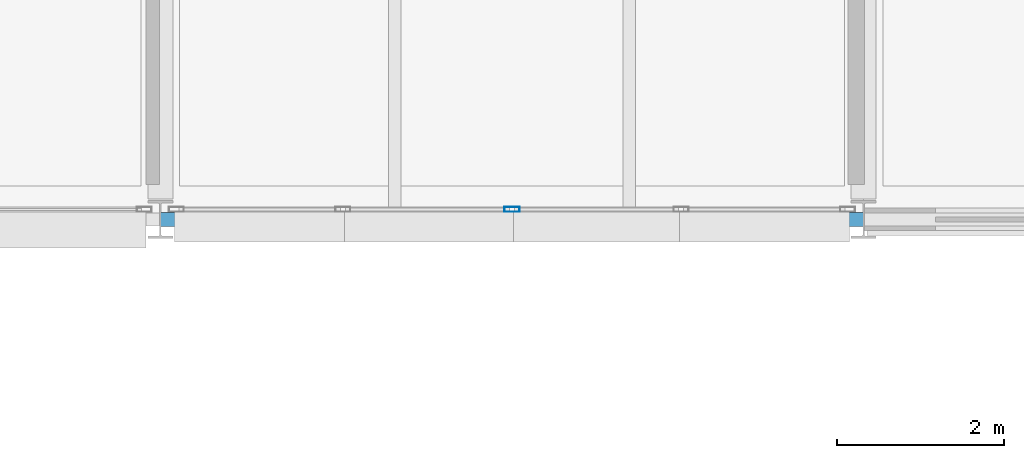
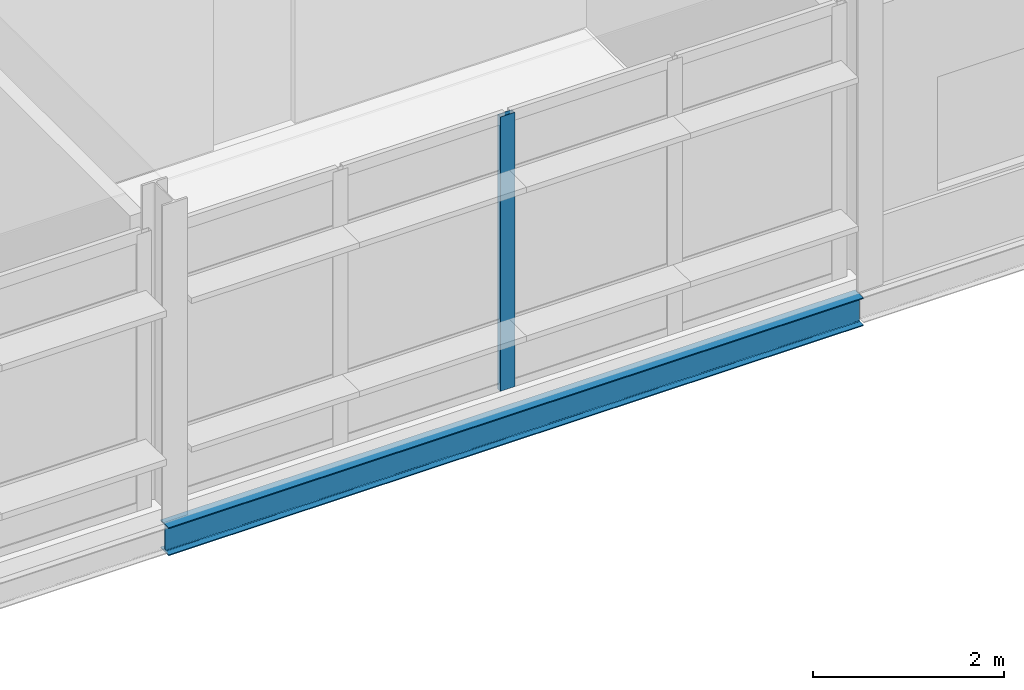
# One storey, part 65 of 131: 1 beam, 1 member, 1 element without a shape of its own.
"""IFC4 building model written with IfcOpenShell, lengths in metres."""

import ifcopenshell
import ifcopenshell.guid

model = None  # the IFC model being written
_history = None  # IfcOwnerHistory: only IFC2X3 demands one
_inside = {}  # id of a spatial element -> (the spatial element, [elements in it])
_under = {}  # id of a project, library or spatial element -> (it, [spatial elements below it])
_declared = {}  # id of a project -> (the project, [libraries it declares])
_typed = {}  # id of a type object -> (the type object, [elements of that type])
_made_of = {}  # id of a material, layer set ... -> (it, [elements and type objects made of it])


def new_model(schema):
    """Start an empty IFC model of exactly this schema.

    Asked for "IFC4X3", IfcOpenShell would pick the latest addendum, in which some entities
    have other attributes; the version numbers below select the first issue.
    IFC2X3 requires an IfcOwnerHistory on every rooted entity: one is made here for all.
    """
    global model, _history
    if schema == "IFC4X3":
        model = ifcopenshell.file(schema_version=(4, 3, 0, 0))
    else:
        model = ifcopenshell.file(schema=schema)
    _inside.clear()
    _under.clear()
    _declared.clear()
    _typed.clear()
    _made_of.clear()
    _history = None
    if model.schema == "IFC2X3":
        org = make("IfcOrganization", Name="unknown")
        user = make(
            "IfcPersonAndOrganization",
            ThePerson=make("IfcPerson", FamilyName="unknown"),
            TheOrganization=org,
        )
        app = make(
            "IfcApplication",
            ApplicationDeveloper=org,
            Version="unknown",
            ApplicationFullName="unknown",
            ApplicationIdentifier="unknown",
        )
        _history = make(
            "IfcOwnerHistory",
            OwningUser=user,
            OwningApplication=app,
            ChangeAction="ADDED",
            CreationDate=0,
        )
    return model


def make(cls, **values):
    """One entity of the class cls with the attributes given. An attribute that is None is left unset."""
    return model.create_entity(
        cls, **{name: value for name, value in values.items() if value is not None}
    )


def rooted(cls, **values):
    """An entity with a GlobalId (a new one), such as an element, a storey or a relation."""
    return make(cls, GlobalId=ifcopenshell.guid.new(), OwnerHistory=_history, **values)


def si_unit(unit_type, name, prefix=None):
    """IfcSIUnit, for example si_unit("LENGTHUNIT", "METRE", prefix="MILLI")."""
    return make("IfcSIUnit", UnitType=unit_type, Prefix=prefix, Name=name)


def assignment(units):
    """IfcUnitAssignment: the units of a project."""
    return None if units is None else make("IfcUnitAssignment", Units=units)


def point(xyz):
    """IfcCartesianPoint."""
    return None if xyz is None else make("IfcCartesianPoint", Coordinates=xyz)


def direction(xyz):
    """IfcDirection."""
    return None if xyz is None else make("IfcDirection", DirectionRatios=xyz)


def frame(location, z_axis=None, x_axis=None):
    """IfcAxis2Placement3D, a coordinate frame: its origin and axes. An axis left out is left unset."""
    return make(
        "IfcAxis2Placement3D",
        Location=point(location),
        Axis=direction(z_axis),
        RefDirection=direction(x_axis),
    )


def frame_2d(location, x_axis=None):
    """IfcAxis2Placement2D, a coordinate frame in the plane: its origin and x axis."""
    return make(
        "IfcAxis2Placement2D", Location=point(location), RefDirection=direction(x_axis)
    )


def origin():
    """The frame at (0, 0, 0) with its axes left unset."""
    return frame((0.0, 0.0, 0.0))


def origin_2d():
    """The frame at (0, 0) in the plane with its x axis left unset."""
    return frame_2d((0.0, 0.0))


def place(relative_to, where):
    """IfcLocalPlacement: puts the frame where relative to a parent placement (None: the world)."""
    return make(
        "IfcLocalPlacement", PlacementRelTo=relative_to, RelativePlacement=where
    )


def context(
    kind, dimensions, precision=None, world=None, true_north=None, identifier=None
):
    """IfcGeometricRepresentationContext, for example the 3D "Model" context."""
    return make(
        "IfcGeometricRepresentationContext",
        ContextIdentifier=identifier,
        ContextType=kind,
        CoordinateSpaceDimension=dimensions,
        Precision=precision,
        WorldCoordinateSystem=world,
        TrueNorth=true_north,
    )


def subcontext(parent, identifier, kind, view, scale=None):
    """IfcGeometricRepresentationSubContext, for example "Body" below "Model"."""
    return make(
        "IfcGeometricRepresentationSubContext",
        ContextIdentifier=identifier,
        ContextType=kind,
        ParentContext=parent,
        TargetScale=scale,
        TargetView=view,
    )


def project(units=None, contexts=None):
    """IfcProject with its units and contexts."""
    return rooted(
        "IfcProject",
        Name="project",
        RepresentationContexts=contexts,
        UnitsInContext=assignment(units),
    )


def spatial(cls, under=None, at=None, **own):
    """A site, building, storey or space (cls), placed at a placement, below another one or the project."""
    s = rooted(cls, ObjectPlacement=at, **own)
    if under is not None:
        _under.setdefault(under.id(), (under, []))[1].append(s)
    return s


def profile(cls, at=None, kind="AREA", **sizes):
    """A parametric profile (cls). Its sizes go by their IFC names, for example OverallWidth=200.0."""
    return make(cls, ProfileType=kind, Position=at, **sizes)


def hollow_rectangle(**sizes):
    """IfcRectangleHollowProfileDef."""
    return profile("IfcRectangleHollowProfileDef", **sizes)


def i_section(**sizes):
    """IfcIShapeProfileDef."""
    return profile("IfcIShapeProfileDef", **sizes)


def extrude(swept, where, along, depth):
    """IfcExtrudedAreaSolid: the profile swept, set in the frame where, extruded along a direction by depth."""
    return make(
        "IfcExtrudedAreaSolid",
        SweptArea=swept,
        Position=where,
        ExtrudedDirection=direction(along),
        Depth=depth,
    )


def shape(context_of_items, identifier, shape_type, items):
    """IfcShapeRepresentation: the items that make up one representation, for example the "Body"."""
    return make(
        "IfcShapeRepresentation",
        ContextOfItems=context_of_items,
        RepresentationIdentifier=identifier,
        RepresentationType=shape_type,
        Items=items,
    )


def material(Name=None, Category=None):
    """IfcMaterial."""
    return make("IfcMaterial", Name=Name, Category=Category)


def material_profile(
    of_material, cross_section, Name=None, Category=None, Priority=None
):
    """IfcMaterialProfile: a cross section and its material."""
    return make(
        "IfcMaterialProfile",
        Name=Name,
        Material=of_material,
        Profile=cross_section,
        Priority=Priority,
        Category=Category,
    )


def profile_set(profiles, Name=None, composite=None):
    """IfcMaterialProfileSet."""
    return make(
        "IfcMaterialProfileSet",
        Name=Name,
        MaterialProfiles=profiles,
        CompositeProfile=composite,
    )


def made_of(thing, what):
    """Note that an element or type object is made of a material, layer set ...; save() writes the relation."""
    if what is not None:
        _made_of.setdefault(what.id(), (what, []))[1].append(thing)
    return thing


def type_object(cls, material=None, **own):
    """A type object (cls), such as IfcWallType, which elements share."""
    return made_of(rooted(cls, **own), material)


def element(
    cls,
    number,
    at=None,
    inside=None,
    cuts=None,
    type_object=None,
    material=None,
    context=None,
    identifier="Body",
    shape_type=None,
    held_by="IfcProductDefinitionShape",
    body=None,
    shapes=None,
    **own,
):
    """One element of the class cls, such as IfcWall. Its Tag is "e" and its number.

    at: its placement. inside: the storey or other place that contains it. cuts: it is an
    opening in that element (IfcRelVoidsElement). A single representation is given by context,
    identifier, shape_type and body (its items); several are given by shapes. held_by: the class
    of the entity that holds the representations. save() writes the other relations.
    """
    e = rooted(cls, Tag="e%d" % number, ObjectPlacement=at, **own)
    if body is not None:
        shapes = [shape(context, identifier, shape_type, body)]
    if shapes is not None:
        e.Representation = make(held_by, Representations=shapes)
    if inside is not None:
        _inside.setdefault(inside.id(), (inside, []))[1].append(e)
    if cuts is not None:
        rooted(
            "IfcRelVoidsElement", RelatingBuildingElement=cuts, RelatedOpeningElement=e
        )
    if type_object is not None:
        _typed.setdefault(type_object.id(), (type_object, []))[1].append(e)
    return made_of(e, material)


def aggregate(whole, parts):
    """IfcRelAggregates: a whole, such as a stair, and the parts it consists of."""
    return rooted("IfcRelAggregates", RelatingObject=whole, RelatedObjects=parts)


def save(model, path):
    """Write the relations noted so far, then the file.

    IfcRelAggregates (storeys below a building ...), IfcRelContainedInSpatialStructure (elements
    in a storey), IfcRelDefinesByType, IfcRelAssociatesMaterial and IfcRelDeclares: one each for
    every whole, place, type object, material and project.
    """
    for whole, parts in _under.values():
        aggregate(whole, parts)
    for where, things in _inside.values():
        rooted(
            "IfcRelContainedInSpatialStructure",
            RelatedElements=things,
            RelatingStructure=where,
        )
    for kind, things in _typed.values():
        rooted("IfcRelDefinesByType", RelatedObjects=things, RelatingType=kind)
    for what, things in _made_of.values():
        rooted("IfcRelAssociatesMaterial", RelatedObjects=things, RelatingMaterial=what)
    for by, libraries in _declared.values():
        rooted("IfcRelDeclares", RelatingContext=by, RelatedDefinitions=libraries)
    model.write(path)


model = new_model("IFC4")

# Units and contexts
model_context = context("Model", 3, precision=1e-05, world=origin(), true_north=direction((0.0, 1.0)))
body_context = subcontext(model_context, "Body", "Model", "MODEL_VIEW")
ifc_project = project(units=[si_unit("LENGTHUNIT", "METRE"), si_unit("AREAUNIT", "SQUARE_METRE"), si_unit("VOLUMEUNIT", "CUBIC_METRE"), si_unit("PLANEANGLEUNIT", "RADIAN"), si_unit("MASSUNIT", "GRAM", prefix="KILO")], contexts=[model_context])

# Site, building, storey
site_placement = place(None, origin())
site = spatial("IfcSite", under=ifc_project, at=site_placement, CompositionType="ELEMENT")
building_placement = place(site_placement, origin())
building = spatial("IfcBuilding", under=site, at=building_placement, Name="Mersafa Astral City Hall", CompositionType="ELEMENT")
storey_placement = place(building_placement, frame((0.0, 0.0, 13.949951171875)))
storey = spatial("IfcBuildingStorey", under=building, at=storey_placement, Name="L03", CompositionType="ELEMENT", Elevation=13.949951171875)

# Curtain wall, member
ifc_material_1 = material(Name="Anodised bronze aluminium framing", Category="aluminium")
curtain_wall_type = type_object("IfcCurtainWallType", Name="ENV-CW-2", PredefinedType="USERDEFINED", material=ifc_material_1)
curtain_wall_placement = place(storey_placement, origin())
curtain_wall = element("IfcCurtainWall", 1, at=curtain_wall_placement, inside=storey, type_object=curtain_wall_type, Name="L03 Unitised solar curtain wall 181", ObjectType="UNITISED CURTAIN WALL", PredefinedType="USERDEFINED")
ifc_material_profile_1 = material_profile(ifc_material_1, hollow_rectangle(XDim=0.06005859375, YDim=0.179931640625, WallThickness=0.00390625, at=origin_2d()), Name="RHS 60x180x4")
ifc_profile_set_1 = profile_set([ifc_material_profile_1], Name="Anodised bronze aluminium framing")
member_type = type_object("IfcMemberType", Name="ENV-CW-MUL-1", PredefinedType="MULLION", material=ifc_profile_set_1)
member_placement = place(storey_placement, frame((88.199951171875, 117.719970703125, -0.001953125), z_axis=(0.0, 0.0, 1.0), x_axis=(0.0, 1.0, 0.0)))
member = element("IfcMember", 2, at=member_placement, type_object=member_type, Name="CW-2 mullion 3", PredefinedType="MULLION", context=body_context, shape_type="SweptSolid", body=[
    extrude(hollow_rectangle(XDim=0.06005859375, YDim=0.179931640625, WallThickness=0.00390625, at=origin_2d()), origin(), (0.0, 0.0, 1.0), 3.50390625),
])
aggregate(curtain_wall, [member])

# Beam
ifc_material_2 = material(Name="Steel S355", Category="steel")
ifc_material_profile_2 = material_profile(ifc_material_2, i_section(OverallWidth=0.169921875, OverallDepth=0.360107421875, WebThickness=0.008056640625, FlangeThickness=0.0126953125, FilletRadius=0.01806640625, at=origin_2d()), Name="IPE 360")
ifc_profile_set_2 = profile_set([ifc_material_profile_2], Name="Steel S355")
beam_type = type_object("IfcBeamType", Name="STR-BM-SPANDREL-IPE360", PredefinedType="SPANDREL", material=ifc_profile_set_2)
beam_placement = place(storey_placement, frame((84.0029296875, 117.60009765625, -0.3798828125), z_axis=(1.0, 0.0, 0.0), x_axis=(0.0, 1.0, 0.0)))
element("IfcBeam", 3, at=beam_placement, inside=storey, type_object=beam_type, Name="L03 Primary girder X 10-14", PredefinedType="SPANDREL", context=body_context, shape_type="SweptSolid", body=[
    extrude(i_section(OverallWidth=0.169921875, OverallDepth=0.360107421875, WebThickness=0.008056640625, FlangeThickness=0.0126953125, FilletRadius=0.01806640625, at=origin_2d()), origin(), (0.0, 0.0, 1.0), 8.39404296875),
])

save(model, "model.ifc")
